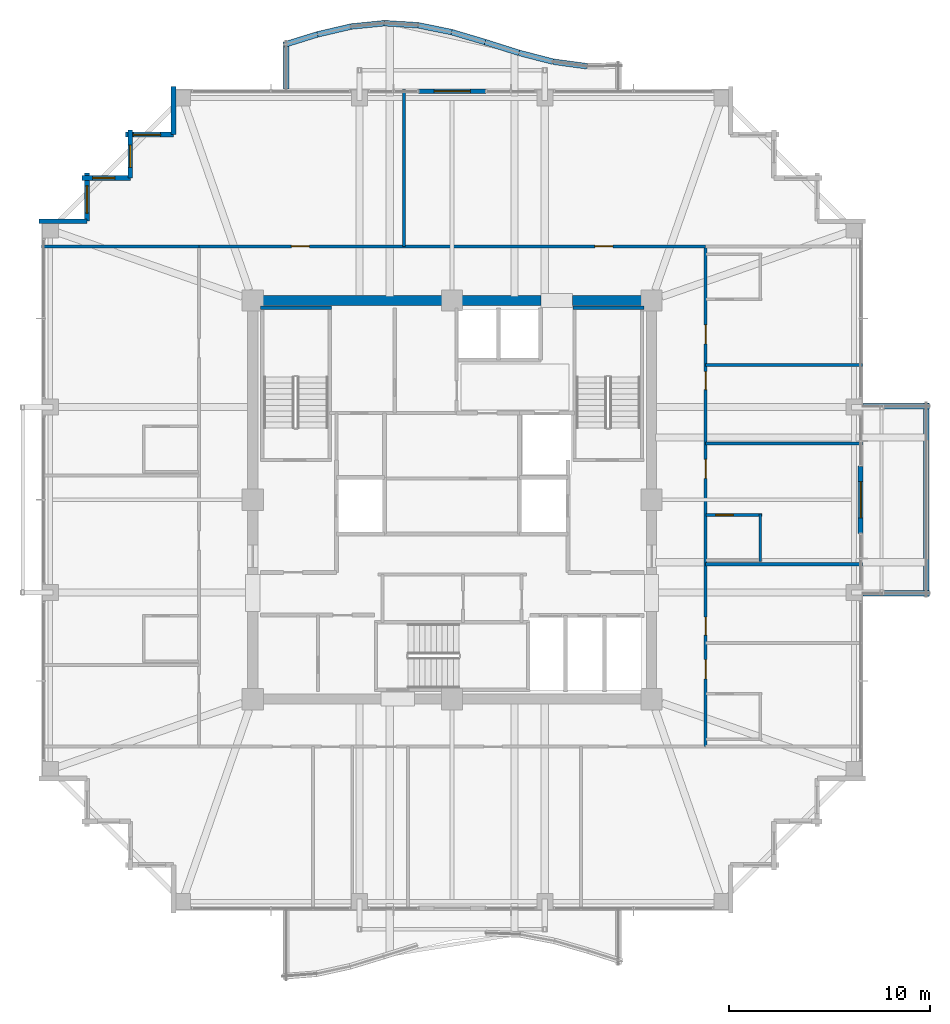
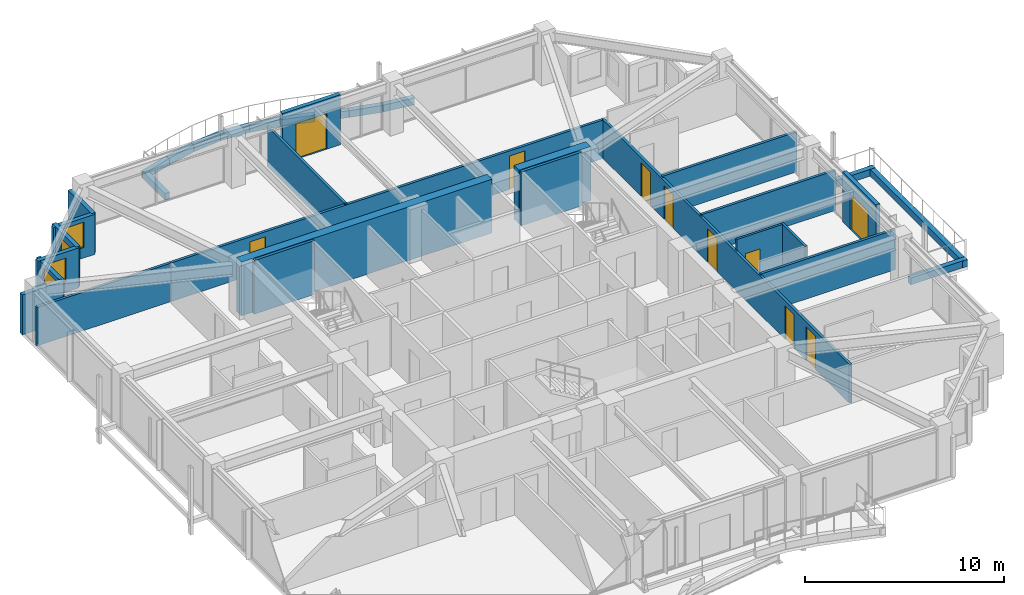
# One storey, part 35 of 38: 34 walls, 10 doors, 4 windows, 14 openings.
"""IFC4 building model written with IfcOpenShell, lengths in metres."""

from ifc_helpers import new_model, si_unit, direction, frame, frame_2d, origin, place, context, subcontext, project, spatial, rectangle, extrude, material, layer, layer_set, type_object, element, fill, save


model = new_model("IFC4")

# Units and contexts
model_context = context("Model", 3, precision=1e-05, world=origin(), true_north=direction((0.0, 1.0)))
body_context = subcontext(model_context, "Body", "Model", "MODEL_VIEW")
ifc_project = project(units=[si_unit("LENGTHUNIT", "METRE"), si_unit("AREAUNIT", "SQUARE_METRE"), si_unit("VOLUMEUNIT", "CUBIC_METRE"), si_unit("PLANEANGLEUNIT", "RADIAN"), si_unit("MASSUNIT", "GRAM", prefix="KILO")], contexts=[model_context])

# Site, building, storey
site_placement = place(None, origin())
site = spatial("IfcSite", under=ifc_project, at=site_placement, CompositionType="ELEMENT")
building_placement = place(site_placement, origin())
building = spatial("IfcBuilding", under=site, at=building_placement, Name="Kolvaren Belvedere", CompositionType="ELEMENT")
storey_placement = place(building_placement, frame((0.0, 0.0, 206.39990234375)))
storey = spatial("IfcBuildingStorey", under=building, at=storey_placement, Name="L60", CompositionType="ELEMENT", Elevation=206.39990234375)

# Walls
ifc_material_1 = material(Name="Concrete C50/60", Category="concrete")
ifc_layer_1 = layer(ifc_material_1, 0.5)
ifc_layer_set_1 = layer_set([ifc_layer_1], Name="Concrete C50/60")
wall_type_1 = type_object("IfcWallType", Name="CW-CORE-500", PredefinedType="SHEAR", material=ifc_layer_set_1)
wall_1_placement = place(storey_placement, frame((-10.14990234375, 9.89990234375, 0.0), z_axis=(0.0, 0.0, 1.0), x_axis=(1.0, 0.0, 0.0)))
element("IfcWall", 1, at=wall_1_placement, inside=storey, type_object=wall_type_1, Name="L60 North Core Shear Wall 1", PredefinedType="SHEAR", context=body_context, shape_type="SweptSolid", body=[
    extrude(rectangle(XDim=14.56982421875, YDim=0.5, at=frame_2d((7.284912109375, 0.0))), origin(), (0.0, 0.0, 1.0), 3.300048828125),
])
wall_2_placement = place(storey_placement, frame((5.97998046875, 9.89990234375, 0.0), z_axis=(0.0, 0.0, 1.0), x_axis=(1.0, 0.0, 0.0)))
element("IfcWall", 2, at=wall_2_placement, inside=storey, type_object=wall_type_1, Name="L60 North Core Shear Wall 2", PredefinedType="SHEAR", context=body_context, shape_type="SweptSolid", body=[
    extrude(rectangle(XDim=4.169921875, YDim=0.5, at=frame_2d((2.0849609375, 0.0))), origin(), (0.0, 0.0, 1.0), 3.300048828125),
])
ifc_material_2 = material(Name="Concrete C50/60", Category="concrete")
ifc_layer_2 = layer(ifc_material_2, 0.159912109375)
ifc_layer_set_2 = layer_set([ifc_layer_2], Name="Concrete C50/60")
wall_type_2 = type_object("IfcWallType", Name="CW-STAIR-160", PredefinedType="SHEAR", material=ifc_layer_set_2)
for number, where, z_axis, x_axis, name in (
    (3, (-9.52001953125, 9.530029296875, 0.0), (0.0, 0.0, 1.0), (1.0, 0.0, 0.0), "L60 Stair ST-1 North Shear Wall"),
    (4, (6.0, 9.530029296875, 0.0), (0.0, 0.0, 1.0), (1.0, 0.0, 0.0), "L60 Stair ST-2 North Shear Wall"),
):
    element("IfcWall", number, at=place(storey_placement, frame(where, z_axis=z_axis, x_axis=x_axis)), inside=storey, type_object=wall_type_2, Name=name, PredefinedType="SHEAR", context=body_context, shape_type="SweptSolid", body=[
        extrude(rectangle(XDim=3.52001953125, YDim=0.159912109375, at=frame_2d((1.760009765625, 0.0))), origin(), (0.0, 0.0, 1.0), 3.300048828125),
    ])

# Wall, openings, doors
ifc_material_3 = material(Name="Gypsum fire-rated partition assembly", Category="gypsum")
ifc_layer_3 = layer(ifc_material_3, 0.14990234375)
ifc_layer_set_3 = layer_set([ifc_layer_3], Name="Gypsum fire-rated partition assembly")
wall_type_3 = type_object("IfcWallType", Name="WL-CORR-150", PredefinedType="PARTITIONING", material=ifc_layer_set_3)
wall_3_placement = place(storey_placement, frame((-12.580078125, 12.580078125, 0.0), z_axis=(0.0, 0.0, 1.0), x_axis=(1.0, 0.0, 0.0)))
wall_3 = element("IfcWall", 5, at=wall_3_placement, inside=storey, type_object=wall_type_3, Name="L60 North Corridor Wall", PredefinedType="PARTITIONING", context=body_context, shape_type="SweptSolid", body=[
    extrude(rectangle(XDim=25.16015625, YDim=0.14990234375, at=frame_2d((12.580078125, 0.0))), origin(), (0.0, 0.0, 1.0), 2.369140625),
])
opening_1_placement = place(wall_3_placement, frame((4.594970703125, 0.0, 0.0)))
opening_1 = element("IfcOpeningElement", 6, at=opening_1_placement, cuts=wall_3, Name="Opening D-INT90", PredefinedType="OPENING", context=body_context, shape_type="SweptSolid", body=[
    extrude(rectangle(XDim=0.89990234375, YDim=2.06005859375, at=frame_2d((0.449951171875, 1.030029296875))), frame((0.0, 0.0849609375, 0.0), z_axis=(0.0, -1.0, 0.0), x_axis=(1.0, 0.0, 0.0)), (0.0, 0.0, 1.0), 0.169921875),
])
opening_2_placement = place(wall_3_placement, frame((19.6650390625, 0.0, 0.0)))
opening_2 = element("IfcOpeningElement", 7, at=opening_2_placement, cuts=wall_3, Name="Opening D-INT90", PredefinedType="OPENING", context=body_context, shape_type="SweptSolid", body=[
    extrude(rectangle(XDim=0.89990234375, YDim=2.06005859375, at=frame_2d((0.449951171875, 1.030029296875))), frame((0.0, 0.0849609375, 0.0), z_axis=(0.0, -1.0, 0.0), x_axis=(1.0, 0.0, 0.0)), (0.0, 0.0, 1.0), 0.169921875),
])
ifc_material_4 = material(Name="Stained Pacific white oak", Category="timber")
door_type_1 = type_object("IfcDoorType", Name="DR-INT-900", OperationType="NOTDEFINED", PredefinedType="DOOR", material=ifc_material_4)
door_1_placement = place(opening_1_placement, origin())
door_1 = element("IfcDoor", 8, at=door_1_placement, inside=storey, type_object=door_type_1, Name="L60 Lounge 6012 Door", OperationType="SINGLE_SWING_LEFT", OverallHeight=2.06005859375, OverallWidth=0.89990234375, PredefinedType="DOOR", context=body_context, shape_type="SweptSolid", body=[
    extrude(rectangle(XDim=0.89990234375, YDim=2.06005859375, at=frame_2d((0.449951171875, 1.030029296875))), frame((0.0, 0.02490234375, 0.0), z_axis=(0.0, -1.0, 0.0), x_axis=(1.0, 0.0, 0.0)), (0.0, 0.0, 1.0), 0.050048828125),
])
fill(opening_1, door_1)
door_2_placement = place(opening_2_placement, origin())
door_2 = element("IfcDoor", 9, at=door_2_placement, inside=storey, type_object=door_type_1, Name="L60 Lounge 6013 Door", OperationType="SINGLE_SWING_RIGHT", OverallHeight=2.06005859375, OverallWidth=0.89990234375, PredefinedType="DOOR", context=body_context, shape_type="SweptSolid", body=[
    extrude(rectangle(XDim=0.89990234375, YDim=2.06005859375, at=frame_2d((0.449951171875, 1.030029296875))), frame((0.0, 0.02490234375, 0.0), z_axis=(0.0, -1.0, 0.0), x_axis=(1.0, 0.0, 0.0)), (0.0, 0.0, 1.0), 0.050048828125),
])
fill(opening_2, door_2)

wall_4_placement = place(storey_placement, frame((12.580078125, -12.260009765625, 0.0), z_axis=(0.0, 0.0, 1.0), x_axis=(0.0, 1.0, 0.0)))
wall_4 = element("IfcWall", 10, at=wall_4_placement, inside=storey, type_object=wall_type_3, Name="L60 East Corridor Wall", PredefinedType="PARTITIONING", context=body_context, shape_type="SweptSolid", body=[
    extrude(rectangle(XDim=24.840087890625, YDim=0.14990234375, at=frame_2d((12.419921875, 0.0))), origin(), (0.0, 0.0, 1.0), 2.369140625),
])
opening_3_placement = place(wall_4_placement, frame((3.37255859375, 0.0, 0.0)))
opening_3 = element("IfcOpeningElement", 11, at=opening_3_placement, cuts=wall_4, Name="Opening D-FD60", PredefinedType="OPENING", context=body_context, shape_type="SweptSolid", body=[
    extrude(rectangle(XDim=0.949951171875, YDim=2.06005859375, at=frame_2d((0.47509765625, 1.030029296875))), frame((0.0, 0.0849609375, 0.0), z_axis=(0.0, -1.0, 0.0), x_axis=(1.0, 0.0, 0.0)), (0.0, 0.0, 1.0), 0.169921875),
])
opening_4_placement = place(wall_4_placement, frame((5.5380859375, 0.0, 0.0)))
opening_4 = element("IfcOpeningElement", 12, at=opening_4_placement, cuts=wall_4, Name="Opening D-INT90", PredefinedType="OPENING", context=body_context, shape_type="SweptSolid", body=[
    extrude(rectangle(XDim=0.89990234375, YDim=2.06005859375, at=frame_2d((0.449951171875, 1.030029296875))), frame((0.0, 0.0849609375, 0.0), z_axis=(0.0, -1.0, 0.0), x_axis=(1.0, 0.0, 0.0)), (0.0, 0.0, 1.0), 0.169921875),
])
opening_5_placement = place(wall_4_placement, frame((13.318115234375, 0.0, 0.0)))
opening_5 = element("IfcOpeningElement", 13, at=opening_5_placement, cuts=wall_4, Name="Opening D-FD60", PredefinedType="OPENING", context=body_context, shape_type="SweptSolid", body=[
    extrude(rectangle(XDim=0.949951171875, YDim=2.06005859375, at=frame_2d((0.47509765625, 1.030029296875))), frame((0.0, 0.0849609375, 0.0), z_axis=(0.0, -1.0, 0.0), x_axis=(1.0, 0.0, 0.0)), (0.0, 0.0, 1.0), 0.169921875),
])
opening_6_placement = place(wall_4_placement, frame((17.724365234375, 0.0, 0.0)))
opening_6 = element("IfcOpeningElement", 14, at=opening_6_placement, cuts=wall_4, Name="Opening D-INT90", PredefinedType="OPENING", context=body_context, shape_type="SweptSolid", body=[
    extrude(rectangle(XDim=0.89990234375, YDim=2.06005859375, at=frame_2d((0.449951171875, 1.030029296875))), frame((0.0, 0.0849609375, 0.0), z_axis=(0.0, -1.0, 0.0), x_axis=(1.0, 0.0, 0.0)), (0.0, 0.0, 1.0), 0.169921875),
])
opening_7_placement = place(wall_4_placement, frame((20.0, 0.0, 0.0)))
opening_7 = element("IfcOpeningElement", 15, at=opening_7_placement, cuts=wall_4, Name="Opening D-FD60", PredefinedType="OPENING", context=body_context, shape_type="SweptSolid", body=[
    extrude(rectangle(XDim=0.949951171875, YDim=2.06005859375, at=frame_2d((0.47509765625, 1.030029296875))), frame((0.0, 0.0849609375, 0.0), z_axis=(0.0, -1.0, 0.0), x_axis=(1.0, 0.0, 0.0)), (0.0, 0.0, 1.0), 0.169921875),
])
ifc_material_5 = material(Name="Acoustic white-oak fire door leaf", Category="timber")
door_type_2 = type_object("IfcDoorType", Name="DR-FD60-950", OperationType="NOTDEFINED", PredefinedType="DOOR", material=ifc_material_5)
door_3_placement = place(opening_3_placement, origin())
door_3 = element("IfcDoor", 16, at=door_3_placement, inside=storey, type_object=door_type_2, Name="L60 King Guest Room 6004 Entry Door", OperationType="SINGLE_SWING_LEFT", OverallHeight=2.06005859375, OverallWidth=0.949951171875, PredefinedType="DOOR", context=body_context, shape_type="SweptSolid", body=[
    extrude(rectangle(XDim=0.949951171875, YDim=2.06005859375, at=frame_2d((0.47509765625, 1.030029296875))), frame((0.0, 0.02490234375, 0.0), z_axis=(0.0, -1.0, 0.0), x_axis=(1.0, 0.0, 0.0)), (0.0, 0.0, 1.0), 0.050048828125),
])
fill(opening_3, door_3)
door_4_placement = place(opening_5_placement, origin())
door_4 = element("IfcDoor", 17, at=door_4_placement, inside=storey, type_object=door_type_2, Name="L60 Botanical Hospitality Suite 6006 Entry Door", OperationType="SINGLE_SWING_RIGHT", OverallHeight=2.06005859375, OverallWidth=0.949951171875, PredefinedType="DOOR", context=body_context, shape_type="SweptSolid", body=[
    extrude(rectangle(XDim=0.949951171875, YDim=2.06005859375, at=frame_2d((0.47509765625, 1.030029296875))), frame((0.0, 0.02490234375, 0.0), z_axis=(0.0, -1.0, 0.0), x_axis=(1.0, 0.0, 0.0)), (0.0, 0.0, 1.0), 0.050048828125),
])
fill(opening_5, door_4)
door_5_placement = place(opening_7_placement, origin())
door_5 = element("IfcDoor", 18, at=door_5_placement, inside=storey, type_object=door_type_2, Name="L60 King Guest Room 6008 Entry Door", OperationType="SINGLE_SWING_LEFT", OverallHeight=2.06005859375, OverallWidth=0.949951171875, PredefinedType="DOOR", context=body_context, shape_type="SweptSolid", body=[
    extrude(rectangle(XDim=0.949951171875, YDim=2.06005859375, at=frame_2d((0.47509765625, 1.030029296875))), frame((0.0, 0.02490234375, 0.0), z_axis=(0.0, -1.0, 0.0), x_axis=(1.0, 0.0, 0.0)), (0.0, 0.0, 1.0), 0.050048828125),
])
fill(opening_7, door_5)
door_6_placement = place(opening_4_placement, origin())
door_6 = element("IfcDoor", 19, at=door_6_placement, inside=storey, type_object=door_type_1, Name="L60 Lounge 6005 Door", OperationType="SINGLE_SWING_RIGHT", OverallHeight=2.06005859375, OverallWidth=0.89990234375, PredefinedType="DOOR", context=body_context, shape_type="SweptSolid", body=[
    extrude(rectangle(XDim=0.89990234375, YDim=2.06005859375, at=frame_2d((0.449951171875, 1.030029296875))), frame((0.0, 0.02490234375, 0.0), z_axis=(0.0, -1.0, 0.0), x_axis=(1.0, 0.0, 0.0)), (0.0, 0.0, 1.0), 0.050048828125),
])
fill(opening_4, door_6)
door_7_placement = place(opening_6_placement, origin())
door_7 = element("IfcDoor", 20, at=door_7_placement, inside=storey, type_object=door_type_1, Name="L60 Lounge 6007 Door", OperationType="SINGLE_SWING_LEFT", OverallHeight=2.06005859375, OverallWidth=0.89990234375, PredefinedType="DOOR", context=body_context, shape_type="SweptSolid", body=[
    extrude(rectangle(XDim=0.89990234375, YDim=2.06005859375, at=frame_2d((0.449951171875, 1.030029296875))), frame((0.0, 0.02490234375, 0.0), z_axis=(0.0, -1.0, 0.0), x_axis=(1.0, 0.0, 0.0)), (0.0, 0.0, 1.0), 0.050048828125),
])
fill(opening_6, door_7)

# Wall, opening, door
ifc_material_6 = material(Name="Insulated pale-metal facade wall assembly", Category="aluminium")
ifc_layer_4 = layer(ifc_material_6, 0.239990234375)
ifc_layer_set_4 = layer_set([ifc_layer_4], Name="Insulated pale-metal facade wall assembly")
wall_type_4 = type_object("IfcWallType", Name="WL-EXT-240", PredefinedType="STANDARD", material=ifc_layer_set_4)
wall_5_placement = place(storey_placement, frame((20.280029296875, 1.679931640625, 0.0), z_axis=(0.0, 0.0, 1.0), x_axis=(0.0, -1.0, 0.0)))
wall_5 = element("IfcWall", 21, at=wall_5_placement, inside=storey, type_object=wall_type_4, Name="L60 East Terrace Portal Wall", PredefinedType="STANDARD", context=body_context, shape_type="SweptSolid", body=[
    extrude(rectangle(XDim=3.35986328125, YDim=0.239990234375, at=frame_2d((1.679931640625, 0.0))), origin(), (0.0, 0.0, 1.0), 3.080078125),
])
opening_8_placement = place(wall_5_placement, frame((0.780029296875, 0.0, 0.0)))
opening_8 = element("IfcOpeningElement", 22, at=opening_8_placement, cuts=wall_5, Name="Opening DB-1800", PredefinedType="OPENING", context=body_context, shape_type="SweptSolid", body=[
    extrude(rectangle(XDim=1.800048828125, YDim=2.199951171875, at=frame_2d((0.89990234375, 1.10009765625))), frame((0.0, 0.1298828125, 0.0), z_axis=(0.0, -1.0, 0.0), x_axis=(1.0, 0.0, 0.0)), (0.0, 0.0, 1.0), 0.260009765625),
])
ifc_material_7 = material(Name="Thermally broken pale-metal aluminium & low-iron glass", Category="aluminium")
door_type_3 = type_object("IfcDoorType", Name="DR-BAL-1800", OperationType="DOUBLE_DOOR_SLIDING", PredefinedType="DOOR", material=ifc_material_7)
door_8_placement = place(opening_8_placement, origin())
door_8 = element("IfcDoor", 23, at=door_8_placement, inside=storey, type_object=door_type_3, Name="L60 East Planted Terrace Sliding Door", OperationType="DOUBLE_DOOR_SLIDING", OverallHeight=2.199951171875, OverallWidth=1.800048828125, PredefinedType="DOOR", context=body_context, shape_type="SweptSolid", body=[
    extrude(rectangle(XDim=1.800048828125, YDim=2.199951171875, at=frame_2d((0.89990234375, 1.10009765625))), frame((0.0, 0.02490234375, 0.0), z_axis=(0.0, -1.0, 0.0), x_axis=(1.0, 0.0, 0.0)), (0.0, 0.0, 1.0), 0.050048828125),
])
fill(opening_8, door_8)

wall_6_placement = place(storey_placement, frame((-1.679931640625, 20.280029296875, 0.0), z_axis=(0.0, 0.0, 1.0), x_axis=(1.0, 0.0, 0.0)))
wall_6 = element("IfcWall", 24, at=wall_6_placement, inside=storey, type_object=wall_type_4, Name="L60 North Terrace Portal Wall", PredefinedType="STANDARD", context=body_context, shape_type="SweptSolid", body=[
    extrude(rectangle(XDim=3.35986328125, YDim=0.239990234375, at=frame_2d((1.679931640625, 0.0))), origin(), (0.0, 0.0, 1.0), 3.080078125),
])
opening_9_placement = place(wall_6_placement, frame((0.780029296875, 0.0, 0.0)))
opening_9 = element("IfcOpeningElement", 25, at=opening_9_placement, cuts=wall_6, Name="Opening DB-1800", PredefinedType="OPENING", context=body_context, shape_type="SweptSolid", body=[
    extrude(rectangle(XDim=1.800048828125, YDim=2.199951171875, at=frame_2d((0.89990234375, 1.10009765625))), frame((0.0, 0.1298828125, 0.0), z_axis=(0.0, -1.0, 0.0), x_axis=(1.0, 0.0, 0.0)), (0.0, 0.0, 1.0), 0.260009765625),
])
door_9_placement = place(opening_9_placement, origin())
door_9 = element("IfcDoor", 26, at=door_9_placement, inside=storey, type_object=door_type_3, Name="L60 North Planted Terrace Sliding Door", OperationType="DOUBLE_DOOR_SLIDING", OverallHeight=2.199951171875, OverallWidth=1.800048828125, PredefinedType="DOOR", context=body_context, shape_type="SweptSolid", body=[
    extrude(rectangle(XDim=1.800048828125, YDim=2.199951171875, at=frame_2d((0.89990234375, 1.10009765625))), frame((0.0, 0.02490234375, 0.0), z_axis=(0.0, -1.0, 0.0), x_axis=(1.0, 0.0, 0.0)), (0.0, 0.0, 1.0), 0.050048828125),
])
fill(opening_9, door_9)

# Wall
wall_7_placement = place(storey_placement, frame((-13.830078125, 18.1298828125, 0.0), z_axis=(0.0, 0.0, 1.0), x_axis=(0.0, 1.0, 0.0)))
element("IfcWall", 27, at=wall_7_placement, inside=storey, type_object=wall_type_4, Name="L60 Serrated Corner Facade Wall 16", PredefinedType="STANDARD", context=body_context, shape_type="SweptSolid", body=[
    extrude(rectangle(XDim=2.39013671875, YDim=0.239990234375, at=frame_2d((1.195068359375, 0.0))), origin(), (0.0, 0.0, 1.0), 2.463134765625),
])

# Wall, opening, window
wall_8_placement = place(storey_placement, frame((-16.219970703125, 18.1298828125, 0.0), z_axis=(0.0, 0.0, 1.0), x_axis=(1.0, 0.0, 0.0)))
wall_8 = element("IfcWall", 28, at=wall_8_placement, inside=storey, type_object=wall_type_4, Name="L60 Serrated Corner Facade Wall 17", PredefinedType="STANDARD", context=body_context, shape_type="SweptSolid", body=[
    extrude(rectangle(XDim=2.389892578125, YDim=0.239990234375, at=frame_2d((1.19482421875, 0.0))), origin(), (0.0, 0.0, 1.0), 2.463134765625),
])
opening_10_placement = place(wall_8_placement, frame((0.39990234375, 0.0, 0.64990234375)))
opening_10 = element("IfcOpeningElement", 29, at=opening_10_placement, cuts=wall_8, Name="Opening W-1350", PredefinedType="OPENING", context=body_context, shape_type="SweptSolid", body=[
    extrude(rectangle(XDim=1.35009765625, YDim=1.550048828125, at=frame_2d((0.675048828125, 0.77490234375))), frame((0.0, 0.1298828125, 0.0), z_axis=(0.0, -1.0, 0.0), x_axis=(1.0, 0.0, 0.0)), (0.0, 0.0, 1.0), 0.260009765625),
])
ifc_material_8 = material(Name="Low-iron triple insulated glass", Category="glass")
window_type_1 = type_object("IfcWindowType", Name="WN-CORN-1350", PartitioningType="SINGLE_PANEL", PredefinedType="WINDOW", material=ifc_material_8)
window_1_placement = place(opening_10_placement, origin())
window_1 = element("IfcWindow", 30, at=window_1_placement, inside=storey, type_object=window_type_1, Name="L60 Serrated Corner Vision Window 17", OverallHeight=1.550048828125, OverallWidth=1.35009765625, PartitioningType="SINGLE_PANEL", PredefinedType="WINDOW", context=body_context, shape_type="SweptSolid", body=[
    extrude(rectangle(XDim=1.35009765625, YDim=1.550048828125, at=frame_2d((0.675048828125, 0.77490234375))), frame((0.0, 0.030029296875, 0.0), z_axis=(0.0, -1.0, 0.0), x_axis=(1.0, 0.0, 0.0)), (0.0, 0.0, 1.0), 0.06005859375),
])
fill(opening_10, window_1)

wall_9_placement = place(storey_placement, frame((-15.97998046875, 15.97998046875, 0.0), z_axis=(0.0, 0.0, 1.0), x_axis=(0.0, 1.0, 0.0)))
wall_9 = element("IfcWall", 31, at=wall_9_placement, inside=storey, type_object=wall_type_4, Name="L60 Serrated Corner Facade Wall 18", PredefinedType="STANDARD", context=body_context, shape_type="SweptSolid", body=[
    extrude(rectangle(XDim=2.39013671875, YDim=0.239990234375, at=frame_2d((1.195068359375, 0.0))), origin(), (0.0, 0.0, 1.0), 2.463134765625),
])
opening_11_placement = place(wall_9_placement, frame((0.52490234375, 0.0, 0.64990234375)))
opening_11 = element("IfcOpeningElement", 32, at=opening_11_placement, cuts=wall_9, Name="Opening W-1100", PredefinedType="OPENING", context=body_context, shape_type="SweptSolid", body=[
    extrude(rectangle(XDim=1.10009765625, YDim=1.449951171875, at=frame_2d((0.550048828125, 0.72509765625))), frame((0.0, 0.1298828125, 0.0), z_axis=(0.0, -1.0, 0.0), x_axis=(1.0, 0.0, 0.0)), (0.0, 0.0, 1.0), 0.260009765625),
])
ifc_material_9 = material(Name="Low-iron triple insulated glass", Category="glass")
window_type_2 = type_object("IfcWindowType", Name="WN-CORN-1100", PartitioningType="SINGLE_PANEL", PredefinedType="WINDOW", material=ifc_material_9)
window_2_placement = place(opening_11_placement, origin())
window_2 = element("IfcWindow", 33, at=window_2_placement, inside=storey, type_object=window_type_2, Name="L60 Serrated Corner Vision Window 18", OverallHeight=1.449951171875, OverallWidth=1.10009765625, PartitioningType="SINGLE_PANEL", PredefinedType="WINDOW", context=body_context, shape_type="SweptSolid", body=[
    extrude(rectangle(XDim=1.10009765625, YDim=1.449951171875, at=frame_2d((0.550048828125, 0.72509765625))), frame((0.0, 0.030029296875, 0.0), z_axis=(0.0, -1.0, 0.0), x_axis=(1.0, 0.0, 0.0)), (0.0, 0.0, 1.0), 0.06005859375),
])
fill(opening_11, window_2)

wall_10_placement = place(storey_placement, frame((-18.3701171875, 15.97998046875, 0.0), z_axis=(0.0, 0.0, 1.0), x_axis=(1.0, 0.0, 0.0)))
wall_10 = element("IfcWall", 34, at=wall_10_placement, inside=storey, type_object=wall_type_4, Name="L60 Serrated Corner Facade Wall 19", PredefinedType="STANDARD", context=body_context, shape_type="SweptSolid", body=[
    extrude(rectangle(XDim=2.39013671875, YDim=0.239990234375, at=frame_2d((1.195068359375, 0.0))), origin(), (0.0, 0.0, 1.0), 2.463134765625),
])
opening_12_placement = place(wall_10_placement, frame((0.52490234375, 0.0, 0.64990234375)))
opening_12 = element("IfcOpeningElement", 35, at=opening_12_placement, cuts=wall_10, Name="Opening W-1100", PredefinedType="OPENING", context=body_context, shape_type="SweptSolid", body=[
    extrude(rectangle(XDim=1.10009765625, YDim=1.449951171875, at=frame_2d((0.550048828125, 0.72509765625))), frame((0.0, 0.1298828125, 0.0), z_axis=(0.0, -1.0, 0.0), x_axis=(1.0, 0.0, 0.0)), (0.0, 0.0, 1.0), 0.260009765625),
])
window_3_placement = place(opening_12_placement, origin())
window_3 = element("IfcWindow", 36, at=window_3_placement, inside=storey, type_object=window_type_2, Name="L60 Serrated Corner Vision Window 19", OverallHeight=1.449951171875, OverallWidth=1.10009765625, PartitioningType="SINGLE_PANEL", PredefinedType="WINDOW", context=body_context, shape_type="SweptSolid", body=[
    extrude(rectangle(XDim=1.10009765625, YDim=1.449951171875, at=frame_2d((0.550048828125, 0.72509765625))), frame((0.0, 0.030029296875, 0.0), z_axis=(0.0, -1.0, 0.0), x_axis=(1.0, 0.0, 0.0)), (0.0, 0.0, 1.0), 0.06005859375),
])
fill(opening_12, window_3)

wall_11_placement = place(storey_placement, frame((-18.1298828125, 13.830078125, 0.0), z_axis=(0.0, 0.0, 1.0), x_axis=(0.0, 1.0, 0.0)))
wall_11 = element("IfcWall", 37, at=wall_11_placement, inside=storey, type_object=wall_type_4, Name="L60 Serrated Corner Facade Wall 20", PredefinedType="STANDARD", context=body_context, shape_type="SweptSolid", body=[
    extrude(rectangle(XDim=2.389892578125, YDim=0.239990234375, at=frame_2d((1.19482421875, 0.0))), origin(), (0.0, 0.0, 1.0), 2.463134765625),
])
opening_13_placement = place(wall_11_placement, frame((0.39990234375, 0.0, 0.64990234375)))
opening_13 = element("IfcOpeningElement", 38, at=opening_13_placement, cuts=wall_11, Name="Opening W-1350", PredefinedType="OPENING", context=body_context, shape_type="SweptSolid", body=[
    extrude(rectangle(XDim=1.35009765625, YDim=1.550048828125, at=frame_2d((0.675048828125, 0.77490234375))), frame((0.0, 0.1298828125, 0.0), z_axis=(0.0, -1.0, 0.0), x_axis=(1.0, 0.0, 0.0)), (0.0, 0.0, 1.0), 0.260009765625),
])
window_4_placement = place(opening_13_placement, origin())
window_4 = element("IfcWindow", 39, at=window_4_placement, inside=storey, type_object=window_type_1, Name="L60 Serrated Corner Vision Window 20", OverallHeight=1.550048828125, OverallWidth=1.35009765625, PartitioningType="SINGLE_PANEL", PredefinedType="WINDOW", context=body_context, shape_type="SweptSolid", body=[
    extrude(rectangle(XDim=1.35009765625, YDim=1.550048828125, at=frame_2d((0.675048828125, 0.77490234375))), frame((0.0, 0.030029296875, 0.0), z_axis=(0.0, -1.0, 0.0), x_axis=(1.0, 0.0, 0.0)), (0.0, 0.0, 1.0), 0.06005859375),
])
fill(opening_13, window_4)

# Walls
wall_12_placement = place(storey_placement, frame((-20.52001953125, 13.830078125, 0.0), z_axis=(0.0, 0.0, 1.0), x_axis=(1.0, 0.0, 0.0)))
element("IfcWall", 40, at=wall_12_placement, inside=storey, type_object=wall_type_4, Name="L60 Serrated Corner Facade Wall 21", PredefinedType="STANDARD", context=body_context, shape_type="SweptSolid", body=[
    extrude(rectangle(XDim=2.39013671875, YDim=0.239990234375, at=frame_2d((1.195068359375, 0.0))), origin(), (0.0, 0.0, 1.0), 2.463134765625),
])
ifc_material_10 = material(Name="Gypsum acoustic partition assembly", Category="gypsum")
ifc_layer_5 = layer(ifc_material_10, 0.14990234375)
ifc_layer_set_5 = layer_set([ifc_layer_5], Name="Gypsum acoustic partition assembly")
wall_type_5 = type_object("IfcWallType", Name="WL-PART-150", PredefinedType="PARTITIONING", material=ifc_layer_set_5)
wall_13_placement = place(storey_placement, frame((-20.3798828125, 12.580078125, 0.0), z_axis=(0.0, 0.0, 1.0), x_axis=(1.0, 0.0, 0.0)))
element("IfcWall", 41, at=wall_13_placement, inside=storey, type_object=wall_type_5, Name="L60 Wing Divider PW-L60-QNW", PredefinedType="PARTITIONING", context=body_context, shape_type="SweptSolid", body=[
    extrude(rectangle(XDim=7.7998046875, YDim=0.14990234375, at=frame_2d((3.89990234375, 0.0))), origin(), (0.0, 0.0, 1.0), 2.369140625),
])
for number, where, z_axis, x_axis, name in (
    (42, (12.580078125, -3.199951171875, 0.0), (0.0, 0.0, 1.0), (1.0, 0.0, 0.0), "L60 East Suite Demising Wall 2"),
    (43, (12.580078125, 2.800048828125, 0.0), (0.0, 0.0, 1.0), (1.0, 0.0, 0.0), "L60 East Suite Demising Wall 3"),
    (44, (12.580078125, 6.699951171875, 0.0), (0.0, 0.0, 1.0), (1.0, 0.0, 0.0), "L60 East Suite Demising Wall 4"),
    (45, (-2.39990234375, 12.580078125, 0.0), (0.0, 0.0, 1.0), (0.0, 1.0, 0.0), "L60 North Suite Demising Wall 1"),
):
    element("IfcWall", number, at=place(storey_placement, frame(where, z_axis=z_axis, x_axis=x_axis)), inside=storey, type_object=wall_type_5, Name=name, PredefinedType="PARTITIONING", context=body_context, shape_type="SweptSolid", body=[
        extrude(rectangle(XDim=7.7998046875, YDim=0.14990234375, at=frame_2d((3.89990234375, 0.0))), origin(), (0.0, 0.0, 1.0), 2.453125),
    ])
ifc_material_11 = material(Name="Precast concrete C40/50", Category="concrete")
ifc_layer_6 = layer(ifc_material_11, 0.300048828125)
ifc_layer_set_6 = layer_set([ifc_layer_6], Name="Precast concrete C40/50")
wall_type_6 = type_object("IfcWallType", Name="WL-PLANTER-300", PredefinedType="PARAPET", material=ifc_layer_set_6)
wall_14_placement = place(storey_placement, frame((6.698486328125, 21.5205078125, -0.039794921875), z_axis=(0.0, 0.0, 1.0), x_axis=(-0.990858183042, 0.134907602079, 0.0)))
element("IfcWall", 46, at=wall_14_placement, inside=storey, type_object=wall_type_6, Name="L60 Precast Structural Planter Wall BAL-N-13", PredefinedType="PARAPET", context=body_context, shape_type="SweptSolid", body=[
    extrude(rectangle(XDim=1.695556640625, YDim=0.280029296875, at=frame_2d((0.84765625, 0.0))), origin(), (0.0, 0.0, 1.0), 0.419921875),
])
wall_15_placement = place(storey_placement, frame((5.0, 21.7529296875, -0.039794921875), z_axis=(0.0, 0.0, 1.0), x_axis=(-0.968141031826, 0.250405556038, 0.0)))
element("IfcWall", 47, at=wall_15_placement, inside=storey, type_object=wall_type_6, Name="L60 Precast Structural Planter Wall BAL-N-14", PredefinedType="PARAPET", context=body_context, shape_type="SweptSolid", body=[
    extrude(rectangle(XDim=1.7353515625, YDim=0.280029296875, at=frame_2d((0.86767578125, 0.0))), origin(), (0.0, 0.0, 1.0), 0.419921875),
])
wall_16_placement = place(storey_placement, frame((3.3115234375, 22.18994140625, -0.039794921875), z_axis=(0.0, 0.0, 1.0), x_axis=(-0.953181954832, 0.302397356111, 0.0)))
element("IfcWall", 48, at=wall_16_placement, inside=storey, type_object=wall_type_6, Name="L60 Precast Structural Planter Wall BAL-N-15", PredefinedType="PARAPET", context=body_context, shape_type="SweptSolid", body=[
    extrude(rectangle(XDim=1.762451171875, YDim=0.280029296875, at=frame_2d((0.88134765625, 0.0))), origin(), (0.0, 0.0, 1.0), 0.419921875),
])
wall_17_placement = place(storey_placement, frame((1.634521484375, 22.721923828125, -0.039794921875), z_axis=(0.0, 0.0, 1.0), x_axis=(-0.958536356279, 0.284970268083, 0.0)))
element("IfcWall", 49, at=wall_17_placement, inside=storey, type_object=wall_type_6, Name="L60 Precast Structural Planter Wall BAL-N-16", PredefinedType="PARAPET", context=body_context, shape_type="SweptSolid", body=[
    extrude(rectangle(XDim=1.7529296875, YDim=0.280029296875, at=frame_2d((0.87646484375, 0.0))), origin(), (0.0, 0.0, 1.0), 0.419921875),
])
wall_18_placement = place(storey_placement, frame((-0.031982421875, 23.218017578125, -0.039794921875), z_axis=(0.0, 0.0, 1.0), x_axis=(-0.979867779516, 0.199647526069, 0.0)))
element("IfcWall", 50, at=wall_18_placement, inside=storey, type_object=wall_type_6, Name="L60 Precast Structural Planter Wall BAL-N-17", PredefinedType="PARAPET", context=body_context, shape_type="SweptSolid", body=[
    extrude(rectangle(XDim=1.71435546875, YDim=0.280029296875, at=frame_2d((0.857177734375, 0.0))), origin(), (0.0, 0.0, 1.0), 0.419921875),
])
wall_19_placement = place(storey_placement, frame((-1.689697265625, 23.5576171875, -0.039794921875), z_axis=(0.0, 0.0, 1.0), x_axis=(-0.998134101522, 0.061059932685, 0.0)))
element("IfcWall", 51, at=wall_19_placement, inside=storey, type_object=wall_type_6, Name="L60 Precast Structural Planter Wall BAL-N-18", PredefinedType="PARAPET", context=body_context, shape_type="SweptSolid", body=[
    extrude(rectangle(XDim=1.683349609375, YDim=0.280029296875, at=frame_2d((0.841796875, 0.0))), origin(), (0.0, 0.0, 1.0), 0.419921875),
])
wall_20_placement = place(storey_placement, frame((-3.343994140625, 23.660888671875, -0.039794921875), z_axis=(0.0, 0.0, 1.0), x_axis=(-0.995025731437, -0.099618240186, 0.0)))
element("IfcWall", 52, at=wall_20_placement, inside=storey, type_object=wall_type_6, Name="L60 Precast Structural Planter Wall BAL-N-19", PredefinedType="PARAPET", context=body_context, shape_type="SweptSolid", body=[
    extrude(rectangle(XDim=1.6884765625, YDim=0.280029296875, at=frame_2d((0.84423828125, 0.0))), origin(), (0.0, 0.0, 1.0), 0.419921875),
])
wall_21_placement = place(storey_placement, frame((-5.003662109375, 23.49609375, -0.039794921875), z_axis=(0.0, 0.0, 1.0), x_axis=(-0.973890253884, -0.227019323824, 0.0)))
element("IfcWall", 53, at=wall_21_placement, inside=storey, type_object=wall_type_6, Name="L60 Precast Structural Planter Wall BAL-N-20", PredefinedType="PARAPET", context=body_context, shape_type="SweptSolid", body=[
    extrude(rectangle(XDim=1.724853515625, YDim=0.280029296875, at=frame_2d((0.8623046875, 0.0))), origin(), (0.0, 0.0, 1.0), 0.419921875),
])
wall_22_placement = place(storey_placement, frame((-6.672607421875, 23.107421875, -0.039794921875), z_axis=(0.0, 0.0, 1.0), x_axis=(-0.955252278476, -0.29579229954, 0.0)))
element("IfcWall", 54, at=wall_22_placement, inside=storey, type_object=wall_type_6, Name="L60 Precast Structural Planter Wall BAL-N-21", PredefinedType="PARAPET", context=body_context, shape_type="SweptSolid", body=[
    extrude(rectangle(XDim=1.7587890625, YDim=0.280029296875, at=frame_2d((0.87939453125, 0.0))), origin(), (0.0, 0.0, 1.0), 0.419921875),
])
wall_23_placement = place(storey_placement, frame((-8.239990234375, 22.739990234375, -0.039794921875), z_axis=(0.0, 0.0, 1.0), x_axis=(0.0, -1.0, 0.0)))
element("IfcWall", 55, at=wall_23_placement, inside=storey, type_object=wall_type_6, Name="L60 Precast Structural Planter Wall BAL-N-22", PredefinedType="PARAPET", context=body_context, shape_type="SweptSolid", body=[
    extrude(rectangle(XDim=2.340087890625, YDim=0.280029296875, at=frame_2d((1.169921875, 0.0))), origin(), (0.0, 0.0, 1.0), 0.419921875),
])
wall_24_placement = place(storey_placement, frame((20.39990234375, -4.639892578125, -0.039794921875), z_axis=(0.0, 0.0, 1.0), x_axis=(1.0, 0.0, 0.0)))
element("IfcWall", 56, at=wall_24_placement, inside=storey, type_object=wall_type_6, Name="L60 Precast Structural Planter Wall SPIRAL-09-E-1", PredefinedType="PARAPET", context=body_context, shape_type="SweptSolid", body=[
    extrude(rectangle(XDim=3.300048828125, YDim=0.280029296875, at=frame_2d((1.64990234375, 0.0))), origin(), (0.0, 0.0, 1.0), 0.419921875),
])
wall_25_placement = place(storey_placement, frame((23.5400390625, -4.800048828125, -0.039794921875), z_axis=(0.0, 0.0, 1.0), x_axis=(0.0, 1.0, 0.0)))
element("IfcWall", 57, at=wall_25_placement, inside=storey, type_object=wall_type_6, Name="L60 Precast Structural Planter Wall SPIRAL-09-E-2", PredefinedType="PARAPET", context=body_context, shape_type="SweptSolid", body=[
    extrude(rectangle(XDim=9.60009765625, YDim=0.280029296875, at=frame_2d((4.800048828125, 0.0))), origin(), (0.0, 0.0, 1.0), 0.419921875),
])
wall_26_placement = place(storey_placement, frame((23.699951171875, 4.639892578125, -0.039794921875), z_axis=(0.0, 0.0, 1.0), x_axis=(-1.0, 0.0, 0.0)))
element("IfcWall", 58, at=wall_26_placement, inside=storey, type_object=wall_type_6, Name="L60 Precast Structural Planter Wall SPIRAL-09-E-3", PredefinedType="PARAPET", context=body_context, shape_type="SweptSolid", body=[
    extrude(rectangle(XDim=3.300048828125, YDim=0.280029296875, at=frame_2d((1.64990234375, 0.0))), origin(), (0.0, 0.0, 1.0), 0.419921875),
])

# Wall, opening, door
ifc_material_12 = material(Name="Moisture-resistant gypsum partition", Category="gypsum")
ifc_layer_7 = layer(ifc_material_12, 0.125)
ifc_layer_set_7 = layer_set([ifc_layer_7], Name="Moisture-resistant gypsum partition")
wall_type_7 = type_object("IfcWallType", Name="WL-WET-125", PredefinedType="PARTITIONING", material=ifc_layer_set_7)
wall_27_placement = place(storey_placement, frame((12.594970703125, -0.7548828125, 0.0), z_axis=(0.0, 0.0, 1.0), x_axis=(1.0, 0.0, 0.0)))
wall_27 = element("IfcWall", 59, at=wall_27_placement, inside=storey, type_object=wall_type_7, Name="L60 Bathroom Partition PW-L60-BTH-6-N", PredefinedType="PARTITIONING", context=body_context, shape_type="SweptSolid", body=[
    extrude(rectangle(XDim=2.7900390625, YDim=0.125, at=frame_2d((1.39501953125, 0.0))), origin(), (0.0, 0.0, 1.0), 3.080078125),
])
opening_14_placement = place(wall_27_placement, frame((0.5, 0.0, 0.0)))
opening_14 = element("IfcOpeningElement", 60, at=opening_14_placement, cuts=wall_27, Name="Opening D-BTH85", PredefinedType="OPENING", context=body_context, shape_type="SweptSolid", body=[
    extrude(rectangle(XDim=0.85009765625, YDim=2.030029296875, at=frame_2d((0.425048828125, 1.01513671875))), frame((0.0, 0.072509765625, 0.0), z_axis=(0.0, -1.0, 0.0), x_axis=(1.0, 0.0, 0.0)), (0.0, 0.0, 1.0), 0.14501953125),
])
ifc_material_13 = material(Name="Moisture-sealed Pacific white oak", Category="timber")
door_type_4 = type_object("IfcDoorType", Name="DR-BATH-850", OperationType="NOTDEFINED", PredefinedType="DOOR", material=ifc_material_13)
door_10_placement = place(opening_14_placement, origin())
door_10 = element("IfcDoor", 61, at=door_10_placement, inside=storey, type_object=door_type_4, Name="L60 En-Suite Bathroom 6006 Door", OperationType="SINGLE_SWING_LEFT", OverallHeight=2.030029296875, OverallWidth=0.85009765625, PredefinedType="DOOR", context=body_context, shape_type="SweptSolid", body=[
    extrude(rectangle(XDim=0.85009765625, YDim=2.030029296875, at=frame_2d((0.425048828125, 1.01513671875))), frame((0.0, 0.02490234375, 0.0), z_axis=(0.0, -1.0, 0.0), x_axis=(1.0, 0.0, 0.0)), (0.0, 0.0, 1.0), 0.050048828125),
])
fill(opening_14, door_10)

# Wall
wall_28_placement = place(storey_placement, frame((15.304931640625, -3.06494140625, 0.0), z_axis=(0.0, 0.0, 1.0), x_axis=(0.0, 1.0, 0.0)))
element("IfcWall", 62, at=wall_28_placement, inside=storey, type_object=wall_type_7, Name="L60 Bathroom Partition PW-L60-BTH-6-V", PredefinedType="PARTITIONING", context=body_context, shape_type="SweptSolid", body=[
    extrude(rectangle(XDim=2.369873046875, YDim=0.125, at=frame_2d((1.18505859375, 0.0))), origin(), (0.0, 0.0, 1.0), 3.080078125),
])

save(model, "model.ifc")
